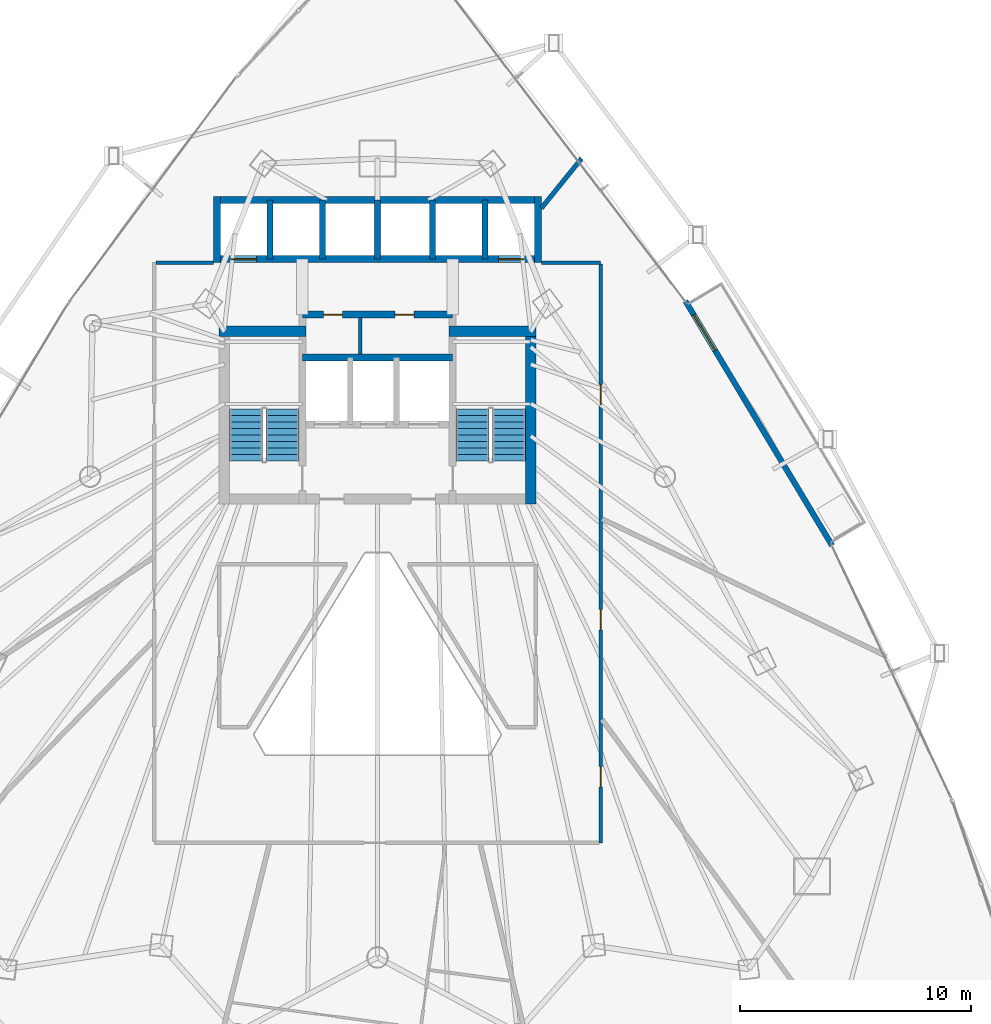
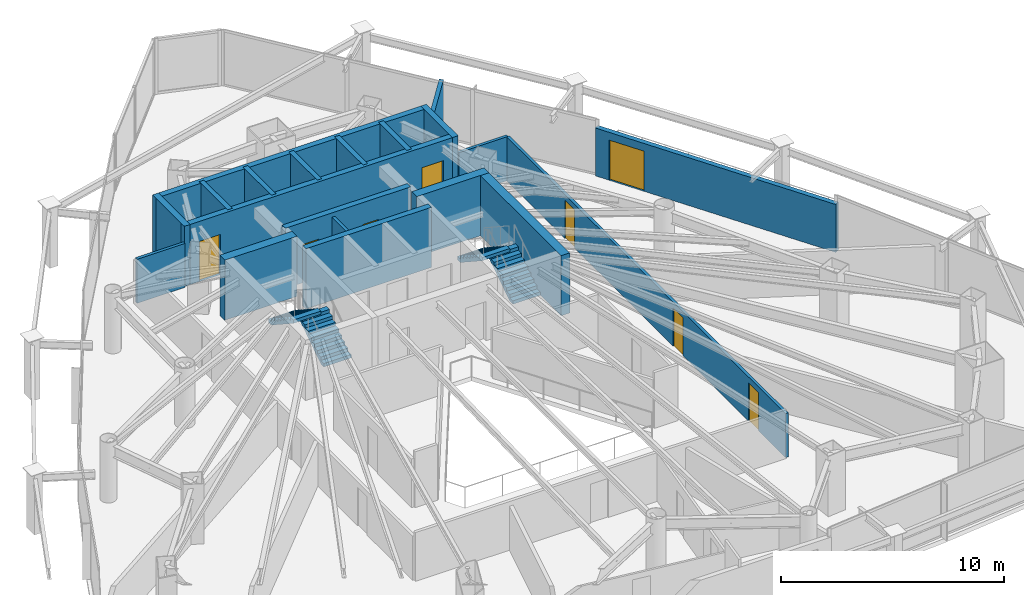
# One storey, part 30 of 33: 20 walls, 8 doors, 4 stair flights, 8 openings, 2 elements without a shape of their own.
"""IFC4 building model written with IfcOpenShell, lengths in metres."""

from ifc_helpers import new_model, si_unit, direction, frame, frame_2d, origin, place, context, subcontext, project, spatial, polyline, rectangle, outline, extrude, material, layer, layer_set, type_object, element, fill, aggregate, save


model = new_model("IFC4")

# Units and contexts
model_context = context("Model", 3, precision=1e-05, world=origin(), true_north=direction((0.0, 1.0)))
body_context = subcontext(model_context, "Body", "Model", "MODEL_VIEW")
ifc_project = project(units=[si_unit("LENGTHUNIT", "METRE"), si_unit("AREAUNIT", "SQUARE_METRE"), si_unit("VOLUMEUNIT", "CUBIC_METRE"), si_unit("PLANEANGLEUNIT", "RADIAN"), si_unit("MASSUNIT", "GRAM", prefix="KILO")], contexts=[model_context])

# Site, building, storey
site_placement = place(None, origin())
site = spatial("IfcSite", under=ifc_project, at=site_placement, CompositionType="ELEMENT")
building_placement = place(site_placement, origin())
building = spatial("IfcBuilding", under=site, at=building_placement, Name="Orvanel Arch Residences", CompositionType="ELEMENT")
storey_placement = place(building_placement, frame((0.0, 0.0, 87.35009765625)))
storey = spatial("IfcBuildingStorey", under=building, at=storey_placement, Name="L24", CompositionType="ELEMENT", Elevation=87.35009765625)

# Wall, opening, door
ifc_material_1 = material(Name="Precast concrete N50 (50 MPa)", Category="concrete")
ifc_layer_1 = layer(ifc_material_1, 0.239990234375)
ifc_layer_set_1 = layer_set([ifc_layer_1], Name="Precast concrete N50 (50 MPa)")
wall_type_1 = type_object("IfcWallType", Name="EW-BAL-240", PredefinedType="SOLIDWALL", material=ifc_layer_set_1)
wall_1_placement = place(storey_placement, frame((52.6708984375, 24.64990234375, 0.0), z_axis=(0.0, 0.0, 1.0), x_axis=(-0.514338730901, 0.857587120877, 0.0)))
wall_1 = element("IfcWall", 1, at=wall_1_placement, inside=storey, type_object=wall_type_1, Name="L24 Balcony Threshold Wall Face 3", PredefinedType="SOLIDWALL", context=body_context, shape_type="SweptSolid", body=[
    extrude(rectangle(XDim=12.34765625, YDim=0.239990234375, at=frame_2d((6.173828125, 0.0))), origin(), (0.0, 0.0, 1.0), 2.6240234375),
])
opening_1_placement = place(wall_1_placement, frame((9.85009765625, 0.0, 0.0)))
opening_1 = element("IfcOpeningElement", 2, at=opening_1_placement, cuts=wall_1, Name="Opening DB-180", PredefinedType="OPENING", context=body_context, shape_type="SweptSolid", body=[
    extrude(rectangle(XDim=1.800048828125, YDim=2.199951171875, at=frame_2d((0.89990234375, 1.10009765625))), frame((0.0, 0.1298828125, 0.0), z_axis=(0.0, -1.0, 0.0), x_axis=(1.0, 0.0, 0.0)), (0.0, 0.0, 1.0), 0.260009765625),
])
ifc_material_2 = material(Name="Bronze-anodised aluminium AA6063-T6", Category="aluminium")
door_type_1 = type_object("IfcDoorType", Name="DR-BAL-1800", OperationType="NOTDEFINED", PredefinedType="DOOR", material=ifc_material_2)
door_1_placement = place(opening_1_placement, origin())
door_1 = element("IfcDoor", 3, at=door_1_placement, inside=storey, type_object=door_type_1, Name="DR-L24-BAL-F3 L24 Planted Balcony Access Door Face 3", OperationType="SINGLE_SWING_RIGHT", OverallHeight=2.199951171875, OverallWidth=1.800048828125, PredefinedType="DOOR", context=body_context, shape_type="SweptSolid", body=[
    extrude(rectangle(XDim=1.800048828125, YDim=2.199951171875, at=frame_2d((0.89990234375, 1.10009765625))), frame((0.0, 0.02490234375, 0.0), z_axis=(0.0, -1.0, 0.0), x_axis=(1.0, 0.0, 0.0)), (0.0, 0.0, 1.0), 0.050048828125),
])
fill(opening_1, door_1)

# Walls
ifc_material_3 = material(Name="Concrete N50 (50 MPa)", Category="concrete")
ifc_layer_2 = layer(ifc_material_3, 0.25)
ifc_layer_set_2 = layer_set([ifc_layer_2], Name="Concrete N50 (50 MPa)")
wall_type_2 = type_object("IfcWallType", Name="SW-CORE-250", PredefinedType="SHEAR", material=ifc_layer_set_2)
for number, where, z_axis, x_axis, name in (
    (4, (28.35009765625, 37.050048828125, 0.0), (0.0, 0.0, 1.0), (0.0, 1.0, 0.0), "L24 Passenger Lift Inter-Shaft Wall P13"),
    (5, (30.625, 37.050048828125, 0.0), (0.0, 0.0, 1.0), (0.0, 1.0, 0.0), "L24 Passenger Lift Inter-Shaft Wall P35"),
    (6, (33.0, 37.050048828125, 0.0), (0.0, 0.0, 1.0), (0.0, 1.0, 0.0), "L24 Passenger Lift Inter-Shaft Wall P56"),
    (7, (35.375, 37.050048828125, 0.0), (0.0, 0.0, 1.0), (0.0, 1.0, 0.0), "L24 Passenger Lift Inter-Shaft Wall P64"),
    (8, (37.64990234375, 37.050048828125, 0.0), (0.0, 0.0, 1.0), (0.0, 1.0, 0.0), "L24 Passenger Lift Inter-Shaft Wall P42"),
):
    element("IfcWall", number, at=place(storey_placement, frame(where, z_axis=z_axis, x_axis=x_axis)), inside=storey, type_object=wall_type_2, Name=name, PredefinedType="SHEAR", context=body_context, shape_type="SweptSolid", body=[
        extrude(rectangle(XDim=2.550048828125, YDim=0.25, at=frame_2d((1.27490234375, 0.0))), origin(), (0.0, 0.0, 1.0), 3.2998046875),
    ])
ifc_material_4 = material(Name="Concrete S80 (80 MPa)", Category="concrete")
ifc_layer_3 = layer(ifc_material_4, 0.300048828125)
ifc_layer_set_3 = layer_set([ifc_layer_3], Name="Concrete S80 (80 MPa)")
wall_type_3 = type_object("IfcWallType", Name="SW-CORE-300", PredefinedType="SHEAR", material=ifc_layer_set_3)
wall_2_placement = place(storey_placement, frame((29.75, 32.800048828125, 0.0), z_axis=(0.0, 0.0, 1.0), x_axis=(1.0, 0.0, 0.0)))
element("IfcWall", 9, at=wall_2_placement, inside=storey, type_object=wall_type_3, Name="L24 Emergency Lift Back Core Shear Wall", PredefinedType="SHEAR", context=body_context, shape_type="SweptSolid", body=[
    extrude(rectangle(XDim=6.5, YDim=0.300048828125, at=frame_2d((3.25, 0.0))), origin(), (0.0, 0.0, 1.0), 3.2998046875),
])

# Wall, openings, doors
wall_3_placement = place(storey_placement, frame((29.75, 34.64990234375, 0.0), z_axis=(0.0, 0.0, 1.0), x_axis=(1.0, 0.0, 0.0)))
wall_3 = element("IfcWall", 10, at=wall_3_placement, inside=storey, type_object=wall_type_3, Name="L24 Core Service Band North Shear Wall", PredefinedType="SHEAR", context=body_context, shape_type="SweptSolid", body=[
    extrude(rectangle(XDim=6.5, YDim=0.300048828125, at=frame_2d((3.25, 0.0))), origin(), (0.0, 0.0, 1.0), 3.2998046875),
])
opening_2_placement = place(wall_3_placement, frame((0.9150390625, 0.0, 0.0)))
opening_2 = element("IfcOpeningElement", 11, at=opening_2_placement, cuts=wall_3, Name="Opening DS-082", PredefinedType="OPENING", context=body_context, shape_type="SweptSolid", body=[
    extrude(rectangle(XDim=0.820068359375, YDim=2.10009765625, at=frame_2d((0.41015625, 1.050048828125))), frame((0.0, 0.159912109375, 0.0), z_axis=(0.0, -1.0, 0.0), x_axis=(1.0, 0.0, 0.0)), (0.0, 0.0, 1.0), 0.320068359375),
])
opening_3_placement = place(wall_3_placement, frame((4.014892578125, 0.0, 0.0)))
opening_3 = element("IfcOpeningElement", 12, at=opening_3_placement, cuts=wall_3, Name="Opening DW-082", PredefinedType="OPENING", context=body_context, shape_type="SweptSolid", body=[
    extrude(rectangle(XDim=0.820068359375, YDim=2.10009765625, at=frame_2d((0.41015625, 1.050048828125))), frame((0.0, 0.159912109375, 0.0), z_axis=(0.0, -1.0, 0.0), x_axis=(1.0, 0.0, 0.0)), (0.0, 0.0, 1.0), 0.320068359375),
])
ifc_material_5 = material(Name="Galvanised steel fire-resisting door assembly", Category="steel")
door_type_2 = type_object("IfcDoorType", Name="DR-SVC-820", OperationType="NOTDEFINED", PredefinedType="DOOR", material=ifc_material_5)
door_2_placement = place(opening_2_placement, origin())
door_2 = element("IfcDoor", 13, at=door_2_placement, inside=storey, type_object=door_type_2, Name="DR-L24-CSVC-1 L24 Floor Cleaner's Store Door", OperationType="SINGLE_SWING_LEFT", OverallHeight=2.10009765625, OverallWidth=0.820068359375, PredefinedType="DOOR", context=body_context, shape_type="SweptSolid", body=[
    extrude(rectangle(XDim=0.820068359375, YDim=2.10009765625, at=frame_2d((0.41015625, 1.050048828125))), frame((0.0, 0.02490234375, 0.0), z_axis=(0.0, -1.0, 0.0), x_axis=(1.0, 0.0, 0.0)), (0.0, 0.0, 1.0), 0.050048828125),
])
fill(opening_2, door_2)
ifc_material_6 = material(Name="Solid-core European oak veneer fire door leaf", Category="wood")
door_type_3 = type_object("IfcDoorType", Name="DR-WET-820", OperationType="NOTDEFINED", PredefinedType="DOOR", material=ifc_material_6)
door_3_placement = place(opening_3_placement, origin())
door_3 = element("IfcDoor", 14, at=door_3_placement, inside=storey, type_object=door_type_3, Name="DR-L24-CSVC-2 L24 Core Accessible WC Door", OperationType="SINGLE_SWING_LEFT", OverallHeight=2.10009765625, OverallWidth=0.820068359375, PredefinedType="DOOR", context=body_context, shape_type="SweptSolid", body=[
    extrude(rectangle(XDim=0.820068359375, YDim=2.10009765625, at=frame_2d((0.41015625, 1.050048828125))), frame((0.0, 0.02490234375, 0.0), z_axis=(0.0, -1.0, 0.0), x_axis=(1.0, 0.0, 0.0)), (0.0, 0.0, 1.0), 0.050048828125),
])
fill(opening_3, door_3)

wall_4_placement = place(storey_placement, frame((40.10009765625, 37.050048828125, 0.0), z_axis=(0.0, 0.0, 1.0), x_axis=(-1.0, 0.0, 0.0)))
wall_4 = element("IfcWall", 15, at=wall_4_placement, inside=storey, type_object=wall_type_3, Name="L24 Passenger Lift Bank Front Shear Wall", PredefinedType="SHEAR", context=body_context, shape_type="SweptSolid", body=[
    extrude(rectangle(XDim=14.2001953125, YDim=0.300048828125, at=frame_2d((7.10009765625, 0.0))), origin(), (0.0, 0.0, 1.0), 3.2998046875),
])
opening_4_placement = place(wall_4_placement, frame((12.324951171875, 0.0, 0.0)))
opening_4 = element("IfcOpeningElement", 16, at=opening_4_placement, cuts=wall_4, Name="Opening LD-110", PredefinedType="OPENING", context=body_context, shape_type="SweptSolid", body=[
    extrude(rectangle(XDim=1.10009765625, YDim=2.199951171875, at=frame_2d((0.550048828125, 1.10009765625))), frame((0.0, 0.159912109375, 0.0), z_axis=(0.0, -1.0, 0.0), x_axis=(1.0, 0.0, 0.0)), (0.0, 0.0, 1.0), 0.320068359375),
])
opening_5_placement = place(wall_4_placement, frame((0.77490234375, 0.0, 0.0)))
opening_5 = element("IfcOpeningElement", 17, at=opening_5_placement, cuts=wall_4, Name="Opening LD-110", PredefinedType="OPENING", context=body_context, shape_type="SweptSolid", body=[
    extrude(rectangle(XDim=1.10009765625, YDim=2.199951171875, at=frame_2d((0.550048828125, 1.10009765625))), frame((0.0, 0.159912109375, 0.0), z_axis=(0.0, -1.0, 0.0), x_axis=(1.0, 0.0, 0.0)), (0.0, 0.0, 1.0), 0.320068359375),
])
door_type_4 = type_object("IfcDoorType", Name="DR-LFT-1100", OperationType="NOTDEFINED", PredefinedType="DOOR", material=ifc_material_5)
door_4_placement = place(opening_4_placement, origin())
door_4 = element("IfcDoor", 18, at=door_4_placement, inside=storey, type_object=door_type_4, Name="LD-P1-L24 L24 Passenger Lift P1 Sliding Landing Door", OperationType="DOUBLE_DOOR_SLIDING", OverallHeight=2.199951171875, OverallWidth=1.10009765625, PredefinedType="DOOR", context=body_context, shape_type="SweptSolid", body=[
    extrude(rectangle(XDim=1.10009765625, YDim=2.199951171875, at=frame_2d((0.550048828125, 1.10009765625))), frame((0.0, 0.02490234375, 0.0), z_axis=(0.0, -1.0, 0.0), x_axis=(1.0, 0.0, 0.0)), (0.0, 0.0, 1.0), 0.050048828125),
])
fill(opening_4, door_4)
door_5_placement = place(opening_5_placement, origin())
door_5 = element("IfcDoor", 19, at=door_5_placement, inside=storey, type_object=door_type_4, Name="LD-P2-L24 L24 Passenger Lift P2 Sliding Landing Door", OperationType="DOUBLE_DOOR_SLIDING", OverallHeight=2.199951171875, OverallWidth=1.10009765625, PredefinedType="DOOR", context=body_context, shape_type="SweptSolid", body=[
    extrude(rectangle(XDim=1.10009765625, YDim=2.199951171875, at=frame_2d((0.550048828125, 1.10009765625))), frame((0.0, 0.02490234375, 0.0), z_axis=(0.0, -1.0, 0.0), x_axis=(1.0, 0.0, 0.0)), (0.0, 0.0, 1.0), 0.050048828125),
])
fill(opening_5, door_5)

# Walls
wall_5_placement = place(storey_placement, frame((25.89990234375, 39.60009765625, 0.0), z_axis=(0.0, 0.0, 1.0), x_axis=(1.0, 0.0, 0.0)))
element("IfcWall", 20, at=wall_5_placement, inside=storey, type_object=wall_type_3, Name="L24 Passenger Lift Bank North Shear Wall", PredefinedType="SHEAR", context=body_context, shape_type="SweptSolid", body=[
    extrude(rectangle(XDim=14.2001953125, YDim=0.300048828125, at=frame_2d((7.10009765625, 0.0))), origin(), (0.0, 0.0, 1.0), 3.2998046875),
])
for number, where, z_axis, x_axis, name in (
    (21, (26.050048828125, 36.89990234375, 0.0), (0.0, 0.0, 1.0), (0.0, 1.0, 0.0), "L24 Passenger Lift Bank West Shear Wall"),
    (22, (39.949951171875, 36.89990234375, 0.0), (0.0, 0.0, 1.0), (0.0, 1.0, 0.0), "L24 Passenger Lift Bank East Shear Wall"),
):
    element("IfcWall", number, at=place(storey_placement, frame(where, z_axis=z_axis, x_axis=x_axis)), inside=storey, type_object=wall_type_3, Name=name, PredefinedType="SHEAR", context=body_context, shape_type="SweptSolid", body=[
        extrude(rectangle(XDim=2.85009765625, YDim=0.300048828125, at=frame_2d((1.425048828125, 0.0))), origin(), (0.0, 0.0, 1.0), 3.2998046875),
    ])
ifc_layer_4 = layer(ifc_material_4, 0.449951171875)
ifc_layer_set_4 = layer_set([ifc_layer_4], Name="Concrete S80 (80 MPa)")
wall_type_4 = type_object("IfcWallType", Name="SW-CORE-450", PredefinedType="SHEAR", material=ifc_layer_set_4)
wall_6_placement = place(storey_placement, frame((26.14990234375, 33.925048828125, 0.0), z_axis=(0.0, 0.0, 1.0), x_axis=(1.0, 0.0, 0.0)))
element("IfcWall", 23, at=wall_6_placement, inside=storey, type_object=wall_type_4, Name="L24 West Stair North Shear Wall", PredefinedType="SHEAR", context=body_context, shape_type="SweptSolid", body=[
    extrude(rectangle(XDim=3.75, YDim=0.449951171875, at=frame_2d((1.875, 0.0))), origin(), (0.0, 0.0, 1.0), 3.2998046875),
])
wall_7_placement = place(storey_placement, frame((39.625, 26.449951171875, 0.0), z_axis=(0.0, 0.0, 1.0), x_axis=(0.0, 1.0, 0.0)))
element("IfcWall", 24, at=wall_7_placement, inside=storey, type_object=wall_type_4, Name="L24 East Stair Shear Wall", PredefinedType="SHEAR", context=body_context, shape_type="SweptSolid", body=[
    extrude(rectangle(XDim=7.699951171875, YDim=0.449951171875, at=frame_2d((3.85009765625, 0.0))), origin(), (0.0, 0.0, 1.0), 3.2998046875),
])
wall_8_placement = place(storey_placement, frame((36.10009765625, 33.925048828125, 0.0), z_axis=(0.0, 0.0, 1.0), x_axis=(1.0, 0.0, 0.0)))
element("IfcWall", 25, at=wall_8_placement, inside=storey, type_object=wall_type_4, Name="L24 East Stair North Shear Wall", PredefinedType="SHEAR", context=body_context, shape_type="SweptSolid", body=[
    extrude(rectangle(XDim=3.75, YDim=0.449951171875, at=frame_2d((1.875, 0.0))), origin(), (0.0, 0.0, 1.0), 3.2998046875),
])
ifc_material_7 = material(Name="Fire-rated plasterboard lined steel stud partition", Category="steel")
ifc_layer_5 = layer(ifc_material_7, 0.14990234375)
ifc_layer_set_5 = layer_set([ifc_layer_5], Name="Fire-rated plasterboard lined steel stud partition")
wall_type_5 = type_object("IfcWallType", Name="W-COR-150", PredefinedType="PARTITIONING", material=ifc_layer_set_5)
wall_9_placement = place(storey_placement, frame((40.10009765625, 36.89990234375, 0.0), z_axis=(0.0, 0.0, 1.0), x_axis=(1.0, 0.0, 0.0)))
element("IfcWall", 26, at=wall_9_placement, inside=storey, type_object=wall_type_5, Name="L24 Corridor Fire-Rated Partition", PredefinedType="PARTITIONING", context=body_context, shape_type="SweptSolid", body=[
    extrude(rectangle(XDim=2.5498046875, YDim=0.14990234375, at=frame_2d((1.27490234375, 0.0))), origin(), (0.0, 0.0, 1.0), 2.412841796875),
])

# Wall, openings, doors
wall_10_placement = place(storey_placement, frame((42.64990234375, 36.840087890625, 0.0), z_axis=(0.0, 0.0, 1.0), x_axis=(0.0, -1.0, 0.0)))
wall_10 = element("IfcWall", 27, at=wall_10_placement, inside=storey, type_object=wall_type_5, Name="L24 Corridor Fire-Rated Partition", PredefinedType="PARTITIONING", context=body_context, shape_type="SweptSolid", body=[
    extrude(rectangle(XDim=25.0400390625, YDim=0.14990234375, at=frame_2d((12.52001953125, 0.0))), origin(), (0.0, 0.0, 1.0), 2.412841796875),
])
opening_6_placement = place(wall_10_placement, frame((14.947021484375, 0.0, 0.0)))
opening_6 = element("IfcOpeningElement", 28, at=opening_6_placement, cuts=wall_10, Name="Opening DI-088", PredefinedType="OPENING", context=body_context, shape_type="SweptSolid", body=[
    extrude(rectangle(XDim=0.8798828125, YDim=2.10009765625, at=frame_2d((0.43994140625, 1.050048828125))), frame((0.0, 0.0849609375, 0.0), z_axis=(0.0, -1.0, 0.0), x_axis=(1.0, 0.0, 0.0)), (0.0, 0.0, 1.0), 0.169921875),
])
opening_7_placement = place(wall_10_placement, frame((21.740966796875, 0.0, 0.0)))
opening_7 = element("IfcOpeningElement", 29, at=opening_7_placement, cuts=wall_10, Name="Opening DI-088", PredefinedType="OPENING", context=body_context, shape_type="SweptSolid", body=[
    extrude(rectangle(XDim=0.8798828125, YDim=2.10009765625, at=frame_2d((0.43994140625, 1.050048828125))), frame((0.0, 0.0849609375, 0.0), z_axis=(0.0, -1.0, 0.0), x_axis=(1.0, 0.0, 0.0)), (0.0, 0.0, 1.0), 0.169921875),
])
opening_8_placement = place(wall_10_placement, frame((5.220947265625, 0.0, 0.0)))
opening_8 = element("IfcOpeningElement", 30, at=opening_8_placement, cuts=wall_10, Name="Opening DI-088", PredefinedType="OPENING", context=body_context, shape_type="SweptSolid", body=[
    extrude(rectangle(XDim=0.8798828125, YDim=2.10009765625, at=frame_2d((0.43994140625, 1.050048828125))), frame((0.0, 0.0849609375, 0.0), z_axis=(0.0, -1.0, 0.0), x_axis=(1.0, 0.0, 0.0)), (0.0, 0.0, 1.0), 0.169921875),
])
door_type_5 = type_object("IfcDoorType", Name="DR-INT-880", OperationType="NOTDEFINED", PredefinedType="DOOR", material=ifc_material_6)
door_6_placement = place(opening_6_placement, origin())
door_6 = element("IfcDoor", 31, at=door_6_placement, inside=storey, type_object=door_type_5, Name="DR-L24-SHRD-FB2 L24 Co-Working Study Office B Door", OperationType="SINGLE_SWING_LEFT", OverallHeight=2.10009765625, OverallWidth=0.8798828125, PredefinedType="DOOR", context=body_context, shape_type="SweptSolid", body=[
    extrude(rectangle(XDim=0.8798828125, YDim=2.10009765625, at=frame_2d((0.43994140625, 1.050048828125))), frame((0.0, 0.02490234375, 0.0), z_axis=(0.0, -1.0, 0.0), x_axis=(1.0, 0.0, 0.0)), (0.0, 0.0, 1.0), 0.050048828125),
])
fill(opening_6, door_6)
door_7_placement = place(opening_7_placement, origin())
door_7 = element("IfcDoor", 32, at=door_7_placement, inside=storey, type_object=door_type_5, Name="DR-L24-SHRD-FB4 L24 Co-Working Study Office D Door", OperationType="SINGLE_SWING_LEFT", OverallHeight=2.10009765625, OverallWidth=0.8798828125, PredefinedType="DOOR", context=body_context, shape_type="SweptSolid", body=[
    extrude(rectangle(XDim=0.8798828125, YDim=2.10009765625, at=frame_2d((0.43994140625, 1.050048828125))), frame((0.0, 0.02490234375, 0.0), z_axis=(0.0, -1.0, 0.0), x_axis=(1.0, 0.0, 0.0)), (0.0, 0.0, 1.0), 0.050048828125),
])
fill(opening_7, door_7)
door_8_placement = place(opening_8_placement, origin())
door_8 = element("IfcDoor", 33, at=door_8_placement, inside=storey, type_object=door_type_5, Name="DR-L24-SHRD-FB7 L24 Co-Working Study Office G Door", OperationType="SINGLE_SWING_LEFT", OverallHeight=2.10009765625, OverallWidth=0.8798828125, PredefinedType="DOOR", context=body_context, shape_type="SweptSolid", body=[
    extrude(rectangle(XDim=0.8798828125, YDim=2.10009765625, at=frame_2d((0.43994140625, 1.050048828125))), frame((0.0, 0.02490234375, 0.0), z_axis=(0.0, -1.0, 0.0), x_axis=(1.0, 0.0, 0.0)), (0.0, 0.0, 1.0), 0.050048828125),
])
fill(opening_8, door_8)

# Walls
wall_11_placement = place(storey_placement, frame((23.409912109375, 36.89990234375, 0.0), z_axis=(0.0, 0.0, 1.0), x_axis=(1.0, 0.0, 0.0)))
element("IfcWall", 34, at=wall_11_placement, inside=storey, type_object=wall_type_5, Name="L24 Corridor Fire-Rated Partition", PredefinedType="PARTITIONING", context=body_context, shape_type="SweptSolid", body=[
    extrude(rectangle(XDim=2.489990234375, YDim=0.14990234375, at=frame_2d((1.2451171875, 0.0))), origin(), (0.0, 0.0, 1.0), 2.412841796875),
])
ifc_layer_6 = layer(ifc_material_7, 0.199951171875)
ifc_layer_set_6 = layer_set([ifc_layer_6], Name="Fire-rated plasterboard lined steel stud partition")
wall_type_6 = type_object("IfcWallType", Name="W-DEM-200", PredefinedType="PARTITIONING", material=ifc_layer_set_6)
wall_12_placement = place(storey_placement, frame((41.823974609375, 41.39697265625, 0.0), z_axis=(0.0, 0.0, 1.0), x_axis=(-0.629241429285, -0.777209896792, 0.0)))
element("IfcWall", 35, at=wall_12_placement, inside=storey, type_object=wall_type_6, Name="L24 Inter-Tenancy Acoustic Demising Wall", PredefinedType="PARTITIONING", context=body_context, shape_type="SweptSolid", body=[
    extrude(rectangle(XDim=2.763671875, YDim=0.199951171875, at=frame_2d((1.3818359375, 0.0))), origin(), (0.0, 0.0, 1.0), 3.059814453125),
])
ifc_layer_7 = layer(ifc_material_7, 0.14990234375)
ifc_layer_set_7 = layer_set([ifc_layer_7], Name="Fire-rated plasterboard lined steel stud partition")
wall_type_7 = type_object("IfcWallType", Name="W-ST-150", PredefinedType="PARTITIONING", material=ifc_layer_set_7)
wall_13_placement = place(storey_placement, frame((32.25, 32.93505859375, 0.0), z_axis=(0.0, 0.0, 1.0), x_axis=(0.0, 1.0, 0.0)))
element("IfcWall", 36, at=wall_13_placement, inside=storey, type_object=wall_type_7, Name="L24 Core Service Partition 1", PredefinedType="PARTITIONING", context=body_context, shape_type="SweptSolid", body=[
    extrude(rectangle(XDim=1.579833984375, YDim=0.14990234375, at=frame_2d((0.7900390625, 0.0))), origin(), (0.0, 0.0, 1.0), 3.059814453125),
])

# Stair, stair flights
stair_type = type_object("IfcStairType", Name="STR-DOG-184", PredefinedType="USERDEFINED", material=ifc_material_1)
stair_1_placement = place(storey_placement, origin())
stair_1 = element("IfcStair", 37, at=stair_1_placement, inside=storey, type_object=stair_type, Name="L24 Fire-Isolated Core Exit Stair 1", ObjectType="TWO_RETURN_STAIR", PredefinedType="USERDEFINED")
stair_flight_type_1 = type_object("IfcStairFlightType", Name="SFL-C1-184", PredefinedType="STRAIGHT", material=ifc_material_1)
stair_flight_1_placement = place(storey_placement, frame((28.889892578125, 28.320068359375, 0.0), z_axis=(0.0, 0.0, 1.0), x_axis=(0.0, 1.0, 0.0)))
stair_flight_1 = element("IfcStairFlight", 38, at=stair_flight_1_placement, type_object=stair_flight_type_1, Name="ST-1 flight 1", NumberOfRisers=9, NumberOfTreads=8, PredefinedType="STRAIGHT", RiserHeight=0.183333333, TreadLength=0.28, context=body_context, shape_type="SweptSolid", body=[
    extrude(outline(polyline([(0.0, 0.0), (0.0, 0.183349609375), (0.280029296875, 0.183349609375), (0.280029296875, 0.36669921875), (0.56005859375, 0.36669921875), (0.56005859375, 0.550048828125), (0.840087890625, 0.550048828125), (0.840087890625, 0.7333984375), (1.1201171875, 0.7333984375), (1.1201171875, 0.916748046875), (1.39990234375, 0.916748046875), (1.39990234375, 1.10009765625), (1.679931640625, 1.10009765625), (1.679931640625, 1.283447265625), (1.9599609375, 1.283447265625), (1.9599609375, 1.466552734375), (2.239990234375, 1.466552734375), (2.239990234375, 1.64990234375), (2.239990234375, 1.28759765625), (0.273681640625, 0.0), (0.0, 0.0)])), frame((0.0, 0.7099609375, 0.0), z_axis=(0.0, -1.0, 0.0), x_axis=(1.0, 0.0, 0.0)), (0.0, 0.0, 1.0), 1.419921875),
])
stair_flight_2_placement = place(storey_placement, frame((27.31005859375, 30.56005859375, 1.64990234375), z_axis=(0.0, 0.0, 1.0), x_axis=(0.0, -1.0, 0.0)))
stair_flight_2 = element("IfcStairFlight", 39, at=stair_flight_2_placement, type_object=stair_flight_type_1, Name="ST-1 flight 2", NumberOfRisers=9, NumberOfTreads=8, PredefinedType="STRAIGHT", RiserHeight=0.183333333, TreadLength=0.28, context=body_context, shape_type="SweptSolid", body=[
    extrude(outline(polyline([(0.0, 0.0), (0.0, 0.183349609375), (0.280029296875, 0.183349609375), (0.280029296875, 0.36669921875), (0.56005859375, 0.36669921875), (0.56005859375, 0.550048828125), (0.840087890625, 0.550048828125), (0.840087890625, 0.7333984375), (1.1201171875, 0.7333984375), (1.1201171875, 0.916748046875), (1.39990234375, 0.916748046875), (1.39990234375, 1.10009765625), (1.679931640625, 1.10009765625), (1.679931640625, 1.283447265625), (1.9599609375, 1.283447265625), (1.9599609375, 1.466552734375), (2.239990234375, 1.466552734375), (2.239990234375, 1.64990234375), (2.239990234375, 1.28759765625), (0.273681640625, 0.0), (0.0, 0.0)])), frame((0.0, 0.7099609375, 0.0), z_axis=(0.0, -1.0, 0.0), x_axis=(1.0, 0.0, 0.0)), (0.0, 0.0, 1.0), 1.419921875),
])
aggregate(stair_1, [stair_flight_1, stair_flight_2])

stair_2_placement = place(storey_placement, origin())
stair_2 = element("IfcStair", 40, at=stair_2_placement, inside=storey, type_object=stair_type, Name="L24 Fire-Isolated Core Exit Stair 2", ObjectType="TWO_RETURN_STAIR", PredefinedType="USERDEFINED")
stair_flight_type_2 = type_object("IfcStairFlightType", Name="SFL-C2-184", PredefinedType="STRAIGHT", material=ifc_material_1)
stair_flight_3_placement = place(storey_placement, frame((38.68994140625, 28.320068359375, 0.0), z_axis=(0.0, 0.0, 1.0), x_axis=(0.0, 1.0, 0.0)))
stair_flight_3 = element("IfcStairFlight", 41, at=stair_flight_3_placement, type_object=stair_flight_type_2, Name="ST-2 flight 1", NumberOfRisers=9, NumberOfTreads=8, PredefinedType="STRAIGHT", RiserHeight=0.183333333, TreadLength=0.28, context=body_context, shape_type="SweptSolid", body=[
    extrude(outline(polyline([(0.0, 0.0), (0.0, 0.183349609375), (0.280029296875, 0.183349609375), (0.280029296875, 0.36669921875), (0.56005859375, 0.36669921875), (0.56005859375, 0.550048828125), (0.840087890625, 0.550048828125), (0.840087890625, 0.7333984375), (1.1201171875, 0.7333984375), (1.1201171875, 0.916748046875), (1.39990234375, 0.916748046875), (1.39990234375, 1.10009765625), (1.679931640625, 1.10009765625), (1.679931640625, 1.283447265625), (1.9599609375, 1.283447265625), (1.9599609375, 1.466552734375), (2.239990234375, 1.466552734375), (2.239990234375, 1.64990234375), (2.239990234375, 1.28759765625), (0.273681640625, 0.0), (0.0, 0.0)])), frame((0.0, 0.7099609375, 0.0), z_axis=(0.0, -1.0, 0.0), x_axis=(1.0, 0.0, 0.0)), (0.0, 0.0, 1.0), 1.419921875),
])
stair_flight_4_placement = place(storey_placement, frame((37.110107421875, 30.56005859375, 1.64990234375), z_axis=(0.0, 0.0, 1.0), x_axis=(0.0, -1.0, 0.0)))
stair_flight_4 = element("IfcStairFlight", 42, at=stair_flight_4_placement, type_object=stair_flight_type_2, Name="ST-2 flight 2", NumberOfRisers=9, NumberOfTreads=8, PredefinedType="STRAIGHT", RiserHeight=0.183333333, TreadLength=0.28, context=body_context, shape_type="SweptSolid", body=[
    extrude(outline(polyline([(0.0, 0.0), (0.0, 0.183349609375), (0.280029296875, 0.183349609375), (0.280029296875, 0.36669921875), (0.56005859375, 0.36669921875), (0.56005859375, 0.550048828125), (0.840087890625, 0.550048828125), (0.840087890625, 0.7333984375), (1.1201171875, 0.7333984375), (1.1201171875, 0.916748046875), (1.39990234375, 0.916748046875), (1.39990234375, 1.10009765625), (1.679931640625, 1.10009765625), (1.679931640625, 1.283447265625), (1.9599609375, 1.283447265625), (1.9599609375, 1.466552734375), (2.239990234375, 1.466552734375), (2.239990234375, 1.64990234375), (2.239990234375, 1.28759765625), (0.273681640625, 0.0), (0.0, 0.0)])), frame((0.0, 0.7099609375, 0.0), z_axis=(0.0, -1.0, 0.0), x_axis=(1.0, 0.0, 0.0)), (0.0, 0.0, 1.0), 1.419921875),
])
aggregate(stair_2, [stair_flight_3, stair_flight_4])

save(model, "model.ifc")
